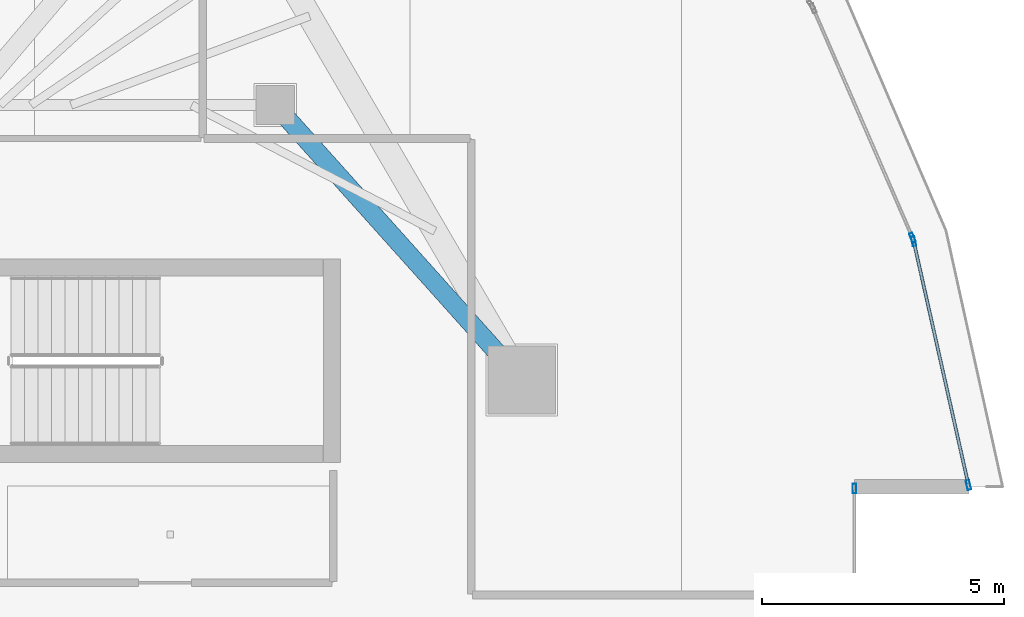
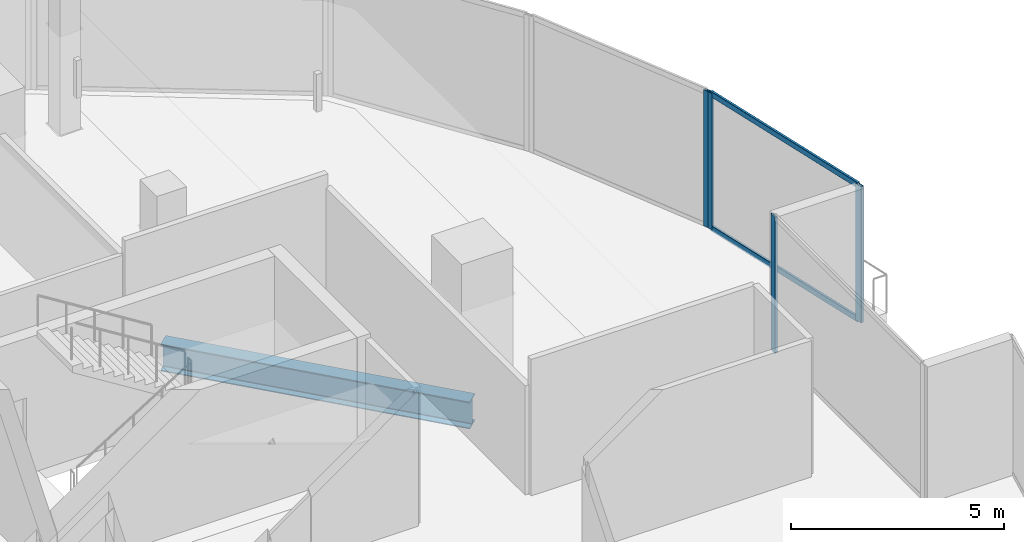
# One storey, part 11 of 27: 6 members, 1 beam, 3 elements without a shape of their own.
"""IFC4 building model written with IfcOpenShell, lengths in metres."""

from ifc_helpers import new_model, si_unit, direction, frame, origin, origin_2d, place, context, subcontext, project, spatial, hollow_rectangle, i_section, extrude, material, layer, layer_set, material_profile, profile_set, type_object, element, aggregate, save


model = new_model("IFC4")

# Units and contexts
model_context = context("Model", 3, precision=1e-05, world=origin(), true_north=direction((0.0, 1.0)))
body_context = subcontext(model_context, "Body", "Model", "MODEL_VIEW")
ifc_project = project(units=[si_unit("LENGTHUNIT", "METRE"), si_unit("AREAUNIT", "SQUARE_METRE"), si_unit("VOLUMEUNIT", "CUBIC_METRE"), si_unit("PLANEANGLEUNIT", "RADIAN"), si_unit("MASSUNIT", "GRAM", prefix="KILO")], contexts=[model_context])

# Site, building, storey
site_placement = place(None, origin())
site = spatial("IfcSite", under=ifc_project, at=site_placement, CompositionType="ELEMENT")
building_placement = place(site_placement, origin())
building = spatial("IfcBuilding", under=site, at=building_placement, Name="Qorvath Tower", CompositionType="ELEMENT")
storey_placement = place(building_placement, frame((0.0, 0.0, 293.39990234375)))
storey = spatial("IfcBuildingStorey", under=building, at=storey_placement, Name="L68", CompositionType="ELEMENT", Elevation=293.39990234375)

# Beam
ifc_material_1 = material(Name="Steel ASTM A992 Grade 50", Category="steel")
ifc_material_profile_1 = material_profile(ifc_material_1, i_section(OverallWidth=0.381103515625, OverallDepth=0.77294921875, WebThickness=0.0166015625, FlangeThickness=0.027099609375, FilletRadius=0.01904296875, at=origin_2d()), Name="W30x173")
ifc_profile_set_1 = profile_set([ifc_material_profile_1], Name="Steel ASTM A992 Grade 50")
beam_type = type_object("IfcBeamType", Name="BM-FG3", PredefinedType="BEAM", material=ifc_profile_set_1)
beam_placement = place(storey_placement, frame((-17.199951171875, 11.449951171875, -0.67626953125), z_axis=(0.667543184261, -0.744571082669, 0.0), x_axis=(0.744571082669, 0.667543184261, 0.0)))
element("IfcBeam", 1, at=beam_placement, inside=storey, type_object=beam_type, Name="Radial Floor Girder CC2-MC5 L68", PredefinedType="BEAM", context=body_context, shape_type="SweptSolid", body=[
    extrude(i_section(OverallWidth=0.381103515625, OverallDepth=0.77294921875, WebThickness=0.0166015625, FlangeThickness=0.027099609375, FilletRadius=0.01904296875, at=origin_2d()), origin(), (0.0, 0.0, 1.0), 7.644775390625),
])

# Curtain wall, member
ifc_material_2 = material(Name="Anodised aluminium and triple low-E glass", Category="aluminium")
ifc_layer = layer(ifc_material_2, 0.179931640625)
ifc_layer_set = layer_set([ifc_layer], Name="CW-SYS-5")
curtain_wall_type = type_object("IfcCurtainWallType", Name="CW-SYS-5", PredefinedType="NOTDEFINED", material=ifc_layer_set)
curtain_wall_1_placement = place(storey_placement, origin())
curtain_wall_1 = element("IfcCurtainWall", 2, at=curtain_wall_1_placement, inside=storey, type_object=curtain_wall_type, Name="Curtain Wall CW-5 CW-T-L68-9.1", PredefinedType="NOTDEFINED")
ifc_material_3 = material(Name="Anodised aluminium 6063-T6", Category="aluminium")
ifc_material_profile_2 = material_profile(ifc_material_3, hollow_rectangle(XDim=0.074951171875, YDim=0.199951171875, WallThickness=0.00390625, InnerFilletRadius=0.00390625, OuterFilletRadius=0.008056640625, at=origin_2d()), Name="CWM 200x75")
ifc_profile_set_2 = profile_set([ifc_material_profile_2], Name="Anodised aluminium 6063-T6")
member_type_1 = type_object("IfcMemberType", Name="CWM-200", PredefinedType="MULLION", material=ifc_profile_set_2)
member_1_placement = place(storey_placement, frame((-5.206298828125, 3.510498046875, 0.0), z_axis=(0.0, 0.0, 1.0), x_axis=(-1.0, 0.0, 0.0)))
member_1 = element("IfcMember", 3, at=member_1_placement, type_object=member_type_1, Name="CW-5 mullion 2", PredefinedType="MULLION", context=body_context, shape_type="SweptSolid", body=[
    extrude(hollow_rectangle(XDim=0.074951171875, YDim=0.199951171875, WallThickness=0.00390625, InnerFilletRadius=0.00390625, OuterFilletRadius=0.008056640625, at=origin_2d()), origin(), (0.0, 0.0, 1.0), 3.91015625),
])
aggregate(curtain_wall_1, [member_1])

# Curtain wall, members
curtain_wall_2_placement = place(storey_placement, origin())
curtain_wall_2 = element("IfcCurtainWall", 4, at=curtain_wall_2_placement, inside=storey, type_object=curtain_wall_type, Name="Curtain Wall CW-5 CW-T-L68-11.1", PredefinedType="NOTDEFINED")
member_2_placement = place(storey_placement, frame((-2.849365234375, 3.58447265625, 0.0), z_axis=(0.0, 0.0, 1.0), x_axis=(-0.975664797236, -0.219267424471, 0.0)))
member_2 = element("IfcMember", 5, at=member_2_placement, type_object=member_type_1, Name="CW-5 mullion 1", PredefinedType="MULLION", context=body_context, shape_type="SweptSolid", body=[
    extrude(hollow_rectangle(XDim=0.074951171875, YDim=0.199951171875, WallThickness=0.00390625, InnerFilletRadius=0.00390625, OuterFilletRadius=0.008056640625, at=origin_2d()), origin(), (0.0, 0.0, 1.0), 3.91015625),
])
member_3_placement = place(storey_placement, frame((-3.98388671875, 8.63330078125, 0.0), z_axis=(0.0, 0.0, 1.0), x_axis=(-0.975664797236, -0.219267424471, 0.0)))
member_3 = element("IfcMember", 6, at=member_3_placement, type_object=member_type_1, Name="CW-5 mullion 2", PredefinedType="MULLION", context=body_context, shape_type="SweptSolid", body=[
    extrude(hollow_rectangle(XDim=0.074951171875, YDim=0.199951171875, WallThickness=0.00390625, InnerFilletRadius=0.00390625, OuterFilletRadius=0.008056640625, at=origin_2d()), origin(), (0.0, 0.0, 1.0), 3.91015625),
])

# Curtain wall, member
curtain_wall_3_placement = place(storey_placement, origin())
curtain_wall_3 = element("IfcCurtainWall", 7, at=curtain_wall_3_placement, inside=storey, type_object=curtain_wall_type, Name="Curtain Wall CW-5 CW-T-L68-12.1", PredefinedType="NOTDEFINED")
member_4_placement = place(storey_placement, frame((-4.007080078125, 8.704345703125, 0.0), z_axis=(0.0, 0.0, 1.0), x_axis=(-0.917571145356, -0.397571620227, 0.0)))
member_4 = element("IfcMember", 8, at=member_4_placement, type_object=member_type_1, Name="CW-5 mullion 1", PredefinedType="MULLION", context=body_context, shape_type="SweptSolid", body=[
    extrude(hollow_rectangle(XDim=0.074951171875, YDim=0.199951171875, WallThickness=0.00390625, InnerFilletRadius=0.00390625, OuterFilletRadius=0.008056640625, at=origin_2d()), origin(), (0.0, 0.0, 1.0), 3.91015625),
])
aggregate(curtain_wall_3, [member_4])

# Member
ifc_material_4 = material(Name="Anodised aluminium 6063-T6", Category="aluminium")
ifc_material_profile_3 = material_profile(ifc_material_4, hollow_rectangle(XDim=0.06494140625, YDim=0.159912109375, WallThickness=0.00341796875, InnerFilletRadius=0.00341796875, OuterFilletRadius=0.007080078125, at=origin_2d()), Name="CWT 160x65")
ifc_profile_set_3 = profile_set([ifc_material_profile_3], Name="Anodised aluminium 6063-T6")
member_type_2 = type_object("IfcMemberType", Name="CWT-160", PredefinedType="USERDEFINED", material=ifc_profile_set_3)
member_5_placement = place(storey_placement, frame((-2.857666015625, 3.62109375, 0.032470703125), z_axis=(-0.219261570029, 0.975666112924, 0.0), x_axis=(-0.975666112924, -0.219261570029, 0.0)))
member_5 = element("IfcMember", 9, at=member_5_placement, type_object=member_type_2, Name="CW-5 transom 1.1", ObjectType="TRANSOM", PredefinedType="USERDEFINED", context=body_context, shape_type="SweptSolid", body=[
    extrude(hollow_rectangle(XDim=0.06494140625, YDim=0.159912109375, WallThickness=0.00341796875, InnerFilletRadius=0.00341796875, OuterFilletRadius=0.007080078125, at=origin_2d()), origin(), (0.0, 0.0, 1.0), 5.099609375),
])

member_6_placement = place(storey_placement, frame((-2.857666015625, 3.62109375, 3.877685546875), z_axis=(-0.219261570029, 0.975666112924, 0.0), x_axis=(-0.975666112924, -0.219261570029, 0.0)))
member_6 = element("IfcMember", 10, at=member_6_placement, type_object=member_type_2, Name="CW-5 transom 1.2", ObjectType="TRANSOM", PredefinedType="USERDEFINED", context=body_context, shape_type="SweptSolid", body=[
    extrude(hollow_rectangle(XDim=0.06494140625, YDim=0.159912109375, WallThickness=0.00341796875, InnerFilletRadius=0.00341796875, OuterFilletRadius=0.007080078125, at=origin_2d()), origin(), (0.0, 0.0, 1.0), 5.099609375),
])

aggregate(curtain_wall_2, [member_2, member_3, member_5, member_6])

save(model, "model.ifc")
